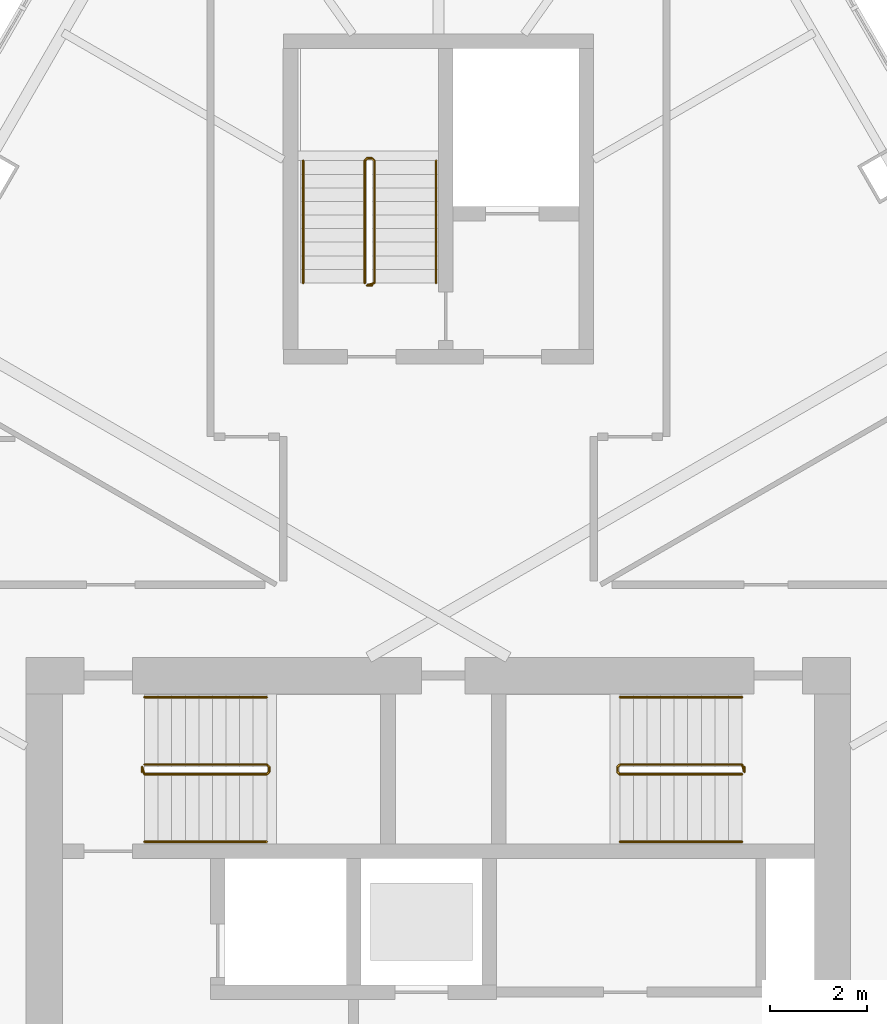
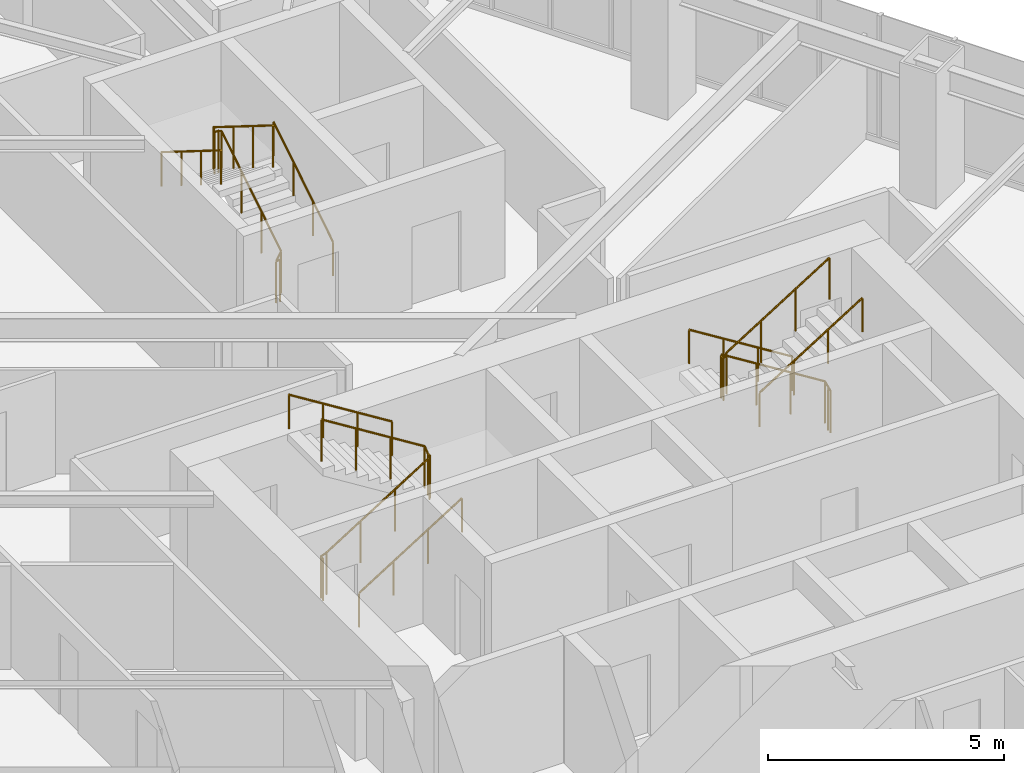
# One storey, part 20 of 21: 9 railings.
"""IFC4 building model written with IfcOpenShell, lengths in metres."""

from ifc_helpers import new_model, si_unit, direction, frame, origin, origin_2d, place, context, subcontext, project, spatial, circle, extrude, material, type_object, element, save


model = new_model("IFC4")

# Units and contexts
model_context = context("Model", 3, precision=1e-05, world=origin(), true_north=direction((0.0, 1.0)))
body_context = subcontext(model_context, "Body", "Model", "MODEL_VIEW")
ifc_project = project(units=[si_unit("LENGTHUNIT", "METRE"), si_unit("AREAUNIT", "SQUARE_METRE"), si_unit("VOLUMEUNIT", "CUBIC_METRE"), si_unit("PLANEANGLEUNIT", "RADIAN"), si_unit("MASSUNIT", "GRAM", prefix="KILO")], contexts=[model_context])

# Site, building, storey
site_placement = place(None, origin())
site = spatial("IfcSite", under=ifc_project, at=site_placement, CompositionType="ELEMENT")
building_placement = place(site_placement, origin())
building = spatial("IfcBuilding", under=site, at=building_placement, Name="Firuza Gate Tower and Library", CompositionType="ELEMENT")
storey_placement = place(building_placement, frame((0.0, 0.0, 274.10009765625)))
storey = spatial("IfcBuildingStorey", under=building, at=storey_placement, Name="L65", CompositionType="ELEMENT", Elevation=274.10009765625)

# Railings
ifc_material_1 = material(Name="Steel S355", Category="steel")
railing_type_1 = type_object("IfcRailingType", Name="Stair guard 1100", PredefinedType="GUARDRAIL", material=ifc_material_1)
railing_1_placement = place(storey_placement, frame((68.889892578125, 79.389892578125, 0.0)))
element("IfcRailing", 1, at=railing_1_placement, inside=storey, type_object=railing_type_1, Name="L65 ST1 stair guard 1", PredefinedType="GUARDRAIL", context=body_context, shape_type="SweptSolid", body=[
    extrude(circle(Radius=0.02392578125, at=origin_2d()), frame((0.0, 0.0, 1.076171875), z_axis=(0.0, 1.0, 0.0), x_axis=(-1.0, 0.0, 0.0)), (0.0, 0.0, 1.0), 0.10009765625),
    extrude(circle(Radius=0.02392578125, at=origin_2d()), frame((0.0, 0.10009765625, 1.076171875), z_axis=(0.212383695785, -0.636115069328, 0.741788908207), x_axis=(0.948528701346, 0.316691178788, 0.0)), (0.0, 0.0, 1.0), 0.235595703125),
    extrude(circle(Radius=0.02392578125, at=origin_2d()), frame((0.050048828125, -0.0498046875, 1.2509765625), z_axis=(0.847970611238, 0.0, 0.530043245855), x_axis=(0.0, 1.0, 0.0)), (0.0, 0.0, 1.0), 2.971923828125),
    extrude(circle(Radius=0.02392578125, at=origin_2d()), frame((2.570068359375, -0.0498046875, 2.826171875), z_axis=(0.708833529934, 0.705375805398, 0.0), x_axis=(-0.705375805398, 0.708833529934, 0.0)), (0.0, 0.0, 1.0), 0.070556640625),
    extrude(circle(Radius=0.02392578125, at=origin_2d()), frame((2.6201171875, 0.0, 2.826171875), z_axis=(0.0, 1.0, 0.0), x_axis=(-1.0, 0.0, 0.0)), (0.0, 0.0, 1.0), 0.10009765625),
    extrude(circle(Radius=0.02392578125, at=origin_2d()), frame((2.6201171875, 0.10009765625, 2.826171875), z_axis=(-0.265383341853, 0.265383341853, 0.926899867156), x_axis=(-0.707106781187, -0.707106781187, 0.0)), (0.0, 0.0, 1.0), 0.1884765625),
    extrude(circle(Radius=0.02392578125, at=origin_2d()), frame((2.570068359375, 0.150146484375, 3.0009765625), z_axis=(-0.847970611238, 0.0, 0.530043245855), x_axis=(0.0, -1.0, 0.0)), (0.0, 0.0, 1.0), 2.971923828125),
    extrude(circle(Radius=0.02099609375, at=origin_2d()), origin(), (0.0, 0.0, 1.0), 1.052001953125),
    extrude(circle(Radius=0.02099609375, at=origin_2d()), frame((0.0, 0.10009765625, 0.0)), (0.0, 0.0, 1.0), 1.052001953125),
    extrude(circle(Radius=0.02099609375, at=origin_2d()), frame((0.050048828125, -0.0498046875, 0.1748046875)), (0.0, 0.0, 1.0), 1.052001953125),
    extrude(circle(Radius=0.02099609375, at=origin_2d()), frame((0.89013671875, -0.0498046875, 0.699951171875)), (0.0, 0.0, 1.0), 1.052001953125),
    extrude(circle(Radius=0.02099609375, at=origin_2d()), frame((1.72998046875, -0.0498046875, 1.224853515625)), (0.0, 0.0, 1.0), 1.052001953125),
    extrude(circle(Radius=0.02099609375, at=origin_2d()), frame((2.570068359375, -0.0498046875, 1.75)), (0.0, 0.0, 1.0), 1.052001953125),
    extrude(circle(Radius=0.02099609375, at=origin_2d()), frame((2.6201171875, 0.0, 1.75)), (0.0, 0.0, 1.0), 1.052001953125),
    extrude(circle(Radius=0.02099609375, at=origin_2d()), frame((2.6201171875, 0.10009765625, 1.75)), (0.0, 0.0, 1.0), 1.052001953125),
    extrude(circle(Radius=0.02099609375, at=origin_2d()), frame((2.570068359375, 0.150146484375, 1.9248046875)), (0.0, 0.0, 1.0), 1.052001953125),
    extrude(circle(Radius=0.02099609375, at=origin_2d()), frame((1.72998046875, 0.150146484375, 2.449951171875)), (0.0, 0.0, 1.0), 1.052001953125),
    extrude(circle(Radius=0.02099609375, at=origin_2d()), frame((0.89013671875, 0.150146484375, 2.974853515625)), (0.0, 0.0, 1.0), 1.052001953125),
    extrude(circle(Radius=0.02099609375, at=origin_2d()), frame((0.050048828125, 0.150146484375, 3.5)), (0.0, 0.0, 1.0), 1.052001953125),
])
railing_2_placement = place(storey_placement, frame((81.31005859375, 79.489990234375, 0.0)))
element("IfcRailing", 2, at=railing_2_placement, inside=storey, type_object=railing_type_1, Name="L65 ST2 stair guard 1", PredefinedType="GUARDRAIL", context=body_context, shape_type="SweptSolid", body=[
    extrude(circle(Radius=0.02392578125, at=origin_2d()), frame((0.0, 0.0, 1.076171875), z_axis=(0.0, -1.0, 0.0), x_axis=(1.0, 0.0, 0.0)), (0.0, 0.0, 1.0), 0.10009765625),
    extrude(circle(Radius=0.02392578125, at=origin_2d()), frame((0.0, -0.10009765625, 1.076171875), z_axis=(-0.21224375372, 0.63673126116, 0.741300134944), x_axis=(-0.948683298051, -0.316227766017, 0.0)), (0.0, 0.0, 1.0), 0.23583984375),
    extrude(circle(Radius=0.02392578125, at=origin_2d()), frame((-0.050048828125, 0.050048828125, 1.2509765625), z_axis=(-0.847970611238, 0.0, 0.530043245855), x_axis=(0.0, -1.0, 0.0)), (0.0, 0.0, 1.0), 2.971923828125),
    extrude(circle(Radius=0.02392578125, at=origin_2d()), frame((-2.570068359375, 0.050048828125, 2.826171875), z_axis=(-0.707106781187, -0.707106781187, 0.0), x_axis=(0.707106781187, -0.707106781187, 0.0)), (0.0, 0.0, 1.0), 0.07080078125),
    extrude(circle(Radius=0.02392578125, at=origin_2d()), frame((-2.6201171875, 0.0, 2.826171875), z_axis=(0.0, -1.0, 0.0), x_axis=(1.0, 0.0, 0.0)), (0.0, 0.0, 1.0), 0.10009765625),
    extrude(circle(Radius=0.02392578125, at=origin_2d()), frame((-2.6201171875, -0.10009765625, 2.826171875), z_axis=(0.265474339444, -0.264179342666, 0.927217692888), x_axis=(0.705375805398, 0.708833529934, 0.0)), (0.0, 0.0, 1.0), 0.1884765625),
    extrude(circle(Radius=0.02392578125, at=origin_2d()), frame((-2.570068359375, -0.14990234375, 3.0009765625), z_axis=(0.847970611238, 0.0, 0.530043245855), x_axis=(0.0, 1.0, 0.0)), (0.0, 0.0, 1.0), 2.971923828125),
    extrude(circle(Radius=0.02099609375, at=origin_2d()), origin(), (0.0, 0.0, 1.0), 1.052001953125),
    extrude(circle(Radius=0.02099609375, at=origin_2d()), frame((0.0, -0.10009765625, 0.0)), (0.0, 0.0, 1.0), 1.052001953125),
    extrude(circle(Radius=0.02099609375, at=origin_2d()), frame((-0.050048828125, 0.050048828125, 0.1748046875)), (0.0, 0.0, 1.0), 1.052001953125),
    extrude(circle(Radius=0.02099609375, at=origin_2d()), frame((-0.89013671875, 0.050048828125, 0.699951171875)), (0.0, 0.0, 1.0), 1.052001953125),
    extrude(circle(Radius=0.02099609375, at=origin_2d()), frame((-1.72998046875, 0.050048828125, 1.224853515625)), (0.0, 0.0, 1.0), 1.052001953125),
    extrude(circle(Radius=0.02099609375, at=origin_2d()), frame((-2.570068359375, 0.050048828125, 1.75)), (0.0, 0.0, 1.0), 1.052001953125),
    extrude(circle(Radius=0.02099609375, at=origin_2d()), frame((-2.6201171875, 0.0, 1.75)), (0.0, 0.0, 1.0), 1.052001953125),
    extrude(circle(Radius=0.02099609375, at=origin_2d()), frame((-2.6201171875, -0.10009765625, 1.75)), (0.0, 0.0, 1.0), 1.052001953125),
    extrude(circle(Radius=0.02099609375, at=origin_2d()), frame((-2.570068359375, -0.14990234375, 1.9248046875)), (0.0, 0.0, 1.0), 1.052001953125),
    extrude(circle(Radius=0.02099609375, at=origin_2d()), frame((-1.72998046875, -0.14990234375, 2.449951171875)), (0.0, 0.0, 1.0), 1.052001953125),
    extrude(circle(Radius=0.02099609375, at=origin_2d()), frame((-0.89013671875, -0.14990234375, 2.974853515625)), (0.0, 0.0, 1.0), 1.052001953125),
    extrude(circle(Radius=0.02099609375, at=origin_2d()), frame((-0.050048828125, -0.14990234375, 3.5)), (0.0, 0.0, 1.0), 1.052001953125),
])
railing_3_placement = place(storey_placement, frame((73.6298828125, 89.419921875, 0.0)))
element("IfcRailing", 3, at=railing_3_placement, inside=storey, type_object=railing_type_1, Name="L65 ST3 stair guard 1", PredefinedType="GUARDRAIL", context=body_context, shape_type="SweptSolid", body=[
    extrude(circle(Radius=0.02392578125, at=origin_2d()), frame((0.0, 0.0, 1.076171875), z_axis=(-1.0, 0.0, 0.0), x_axis=(0.0, -1.0, 0.0)), (0.0, 0.0, 1.0), 0.099853515625),
    extrude(circle(Radius=0.02392578125, at=origin_2d()), frame((-0.099853515625, 0.0, 1.076171875), z_axis=(0.636115069328, 0.212383695785, 0.741788908207), x_axis=(-0.316691178788, 0.948528701346, 0.0)), (0.0, 0.0, 1.0), 0.235595703125),
    extrude(circle(Radius=0.02392578125, at=origin_2d()), frame((0.050048828125, 0.050048828125, 1.2509765625), z_axis=(0.0, 0.847970611238, 0.530043245855), x_axis=(-1.0, 0.0, 0.0)), (0.0, 0.0, 1.0), 2.971923828125),
    extrude(circle(Radius=0.02392578125, at=origin_2d()), frame((0.050048828125, 2.570068359375, 2.826171875), z_axis=(-0.707106781187, 0.707106781187, 0.0), x_axis=(-0.707106781187, -0.707106781187, 0.0)), (0.0, 0.0, 1.0), 0.07080078125),
    extrude(circle(Radius=0.02392578125, at=origin_2d()), frame((0.0, 2.6201171875, 2.826171875), z_axis=(-1.0, 0.0, 0.0), x_axis=(0.0, -1.0, 0.0)), (0.0, 0.0, 1.0), 0.099853515625),
    extrude(circle(Radius=0.02392578125, at=origin_2d()), frame((-0.099853515625, 2.6201171875, 2.826171875), z_axis=(-0.265383341853, -0.265383341853, 0.926899867156), x_axis=(0.707106781187, -0.707106781187, 0.0)), (0.0, 0.0, 1.0), 0.1884765625),
    extrude(circle(Radius=0.02392578125, at=origin_2d()), frame((-0.14990234375, 2.570068359375, 3.0009765625), z_axis=(0.0, -0.847970611238, 0.530043245855), x_axis=(1.0, 0.0, 0.0)), (0.0, 0.0, 1.0), 2.971923828125),
    extrude(circle(Radius=0.02099609375, at=origin_2d()), origin(), (0.0, 0.0, 1.0), 1.052001953125),
    extrude(circle(Radius=0.02099609375, at=origin_2d()), frame((-0.099853515625, 0.0, 0.0)), (0.0, 0.0, 1.0), 1.052001953125),
    extrude(circle(Radius=0.02099609375, at=origin_2d()), frame((0.050048828125, 0.050048828125, 0.1748046875)), (0.0, 0.0, 1.0), 1.052001953125),
    extrude(circle(Radius=0.02099609375, at=origin_2d()), frame((0.050048828125, 0.89013671875, 0.699951171875)), (0.0, 0.0, 1.0), 1.052001953125),
    extrude(circle(Radius=0.02099609375, at=origin_2d()), frame((0.050048828125, 1.72998046875, 1.224853515625)), (0.0, 0.0, 1.0), 1.052001953125),
    extrude(circle(Radius=0.02099609375, at=origin_2d()), frame((0.050048828125, 2.570068359375, 1.75)), (0.0, 0.0, 1.0), 1.052001953125),
    extrude(circle(Radius=0.02099609375, at=origin_2d()), frame((0.0, 2.6201171875, 1.75)), (0.0, 0.0, 1.0), 1.052001953125),
    extrude(circle(Radius=0.02099609375, at=origin_2d()), frame((-0.099853515625, 2.6201171875, 1.75)), (0.0, 0.0, 1.0), 1.052001953125),
    extrude(circle(Radius=0.02099609375, at=origin_2d()), frame((-0.14990234375, 2.570068359375, 1.9248046875)), (0.0, 0.0, 1.0), 1.052001953125),
    extrude(circle(Radius=0.02099609375, at=origin_2d()), frame((-0.14990234375, 1.72998046875, 2.449951171875)), (0.0, 0.0, 1.0), 1.052001953125),
    extrude(circle(Radius=0.02099609375, at=origin_2d()), frame((-0.14990234375, 0.89013671875, 2.974853515625)), (0.0, 0.0, 1.0), 1.052001953125),
    extrude(circle(Radius=0.02099609375, at=origin_2d()), frame((-0.14990234375, 0.050048828125, 3.5)), (0.0, 0.0, 1.0), 1.052001953125),
])
ifc_material_2 = material(Name="Steel S355", Category="steel")
railing_type_2 = type_object("IfcRailingType", Name="Stair handrail 900", PredefinedType="HANDRAIL", material=ifc_material_2)
railing_4_placement = place(storey_placement, frame((68.93994140625, 77.949951171875, 0.1748046875)))
element("IfcRailing", 4, at=railing_4_placement, inside=storey, type_object=railing_type_2, Name="L65 ST1 stair handrail 1", PredefinedType="HANDRAIL", context=body_context, shape_type="SweptSolid", body=[
    extrude(circle(Radius=0.02392578125, at=origin_2d()), frame((0.0, 0.0, 0.8759765625), z_axis=(0.847970611238, 0.0, 0.530043245855), x_axis=(0.0, 1.0, 0.0)), (0.0, 0.0, 1.0), 2.971923828125),
    extrude(circle(Radius=0.02099609375, at=origin_2d()), origin(), (0.0, 0.0, 1.0), 0.851806640625),
    extrude(circle(Radius=0.02099609375, at=origin_2d()), frame((0.840087890625, 0.0, 0.525146484375)), (0.0, 0.0, 1.0), 0.851806640625),
    extrude(circle(Radius=0.02099609375, at=origin_2d()), frame((1.679931640625, 0.0, 1.050048828125)), (0.0, 0.0, 1.0), 0.851806640625),
    extrude(circle(Radius=0.02099609375, at=origin_2d()), frame((2.52001953125, 0.0, 1.5751953125)), (0.0, 0.0, 1.0), 0.851806640625),
])
for number, where, name in (
    (5, (71.4599609375, 80.929931640625, 1.9248046875), "L65 ST1 stair handrail 2"),
    (6, (81.260009765625, 80.929931640625, 0.1748046875), "L65 ST2 stair handrail 1"),
):
    element("IfcRailing", number, at=place(storey_placement, frame(where)), inside=storey, type_object=railing_type_2, Name=name, PredefinedType="HANDRAIL", context=body_context, shape_type="SweptSolid", body=[
        extrude(circle(Radius=0.02392578125, at=origin_2d()), frame((0.0, 0.0, 0.8759765625), z_axis=(-0.847970611238, 0.0, 0.530043245855), x_axis=(0.0, -1.0, 0.0)), (0.0, 0.0, 1.0), 2.971923828125),
        extrude(circle(Radius=0.02099609375, at=origin_2d()), origin(), (0.0, 0.0, 1.0), 0.851806640625),
        extrude(circle(Radius=0.02099609375, at=origin_2d()), frame((-0.840087890625, 0.0, 0.525146484375)), (0.0, 0.0, 1.0), 0.851806640625),
        extrude(circle(Radius=0.02099609375, at=origin_2d()), frame((-1.679931640625, 0.0, 1.050048828125)), (0.0, 0.0, 1.0), 0.851806640625),
        extrude(circle(Radius=0.02099609375, at=origin_2d()), frame((-2.52001953125, 0.0, 1.5751953125)), (0.0, 0.0, 1.0), 0.851806640625),
    ])
railing_5_placement = place(storey_placement, frame((78.739990234375, 77.949951171875, 1.9248046875)))
element("IfcRailing", 7, at=railing_5_placement, inside=storey, type_object=railing_type_2, Name="L65 ST2 stair handrail 2", PredefinedType="HANDRAIL", context=body_context, shape_type="SweptSolid", body=[
    extrude(circle(Radius=0.02392578125, at=origin_2d()), frame((0.0, 0.0, 0.8759765625), z_axis=(0.847970611238, 0.0, 0.530043245855), x_axis=(0.0, 1.0, 0.0)), (0.0, 0.0, 1.0), 2.971923828125),
    extrude(circle(Radius=0.02099609375, at=origin_2d()), origin(), (0.0, 0.0, 1.0), 0.851806640625),
    extrude(circle(Radius=0.02099609375, at=origin_2d()), frame((0.840087890625, 0.0, 0.525146484375)), (0.0, 0.0, 1.0), 0.851806640625),
    extrude(circle(Radius=0.02099609375, at=origin_2d()), frame((1.679931640625, 0.0, 1.050048828125)), (0.0, 0.0, 1.0), 0.851806640625),
    extrude(circle(Radius=0.02099609375, at=origin_2d()), frame((2.52001953125, 0.0, 1.5751953125)), (0.0, 0.0, 1.0), 0.851806640625),
])
railing_6_placement = place(storey_placement, frame((74.949951171875, 89.469970703125, 0.1748046875)))
element("IfcRailing", 8, at=railing_6_placement, inside=storey, type_object=railing_type_2, Name="L65 ST3 stair handrail 1", PredefinedType="HANDRAIL", context=body_context, shape_type="SweptSolid", body=[
    extrude(circle(Radius=0.02392578125, at=origin_2d()), frame((0.0, 0.0, 0.8759765625), z_axis=(0.0, 0.847970611238, 0.530043245855), x_axis=(-1.0, 0.0, 0.0)), (0.0, 0.0, 1.0), 2.971923828125),
    extrude(circle(Radius=0.02099609375, at=origin_2d()), origin(), (0.0, 0.0, 1.0), 0.851806640625),
    extrude(circle(Radius=0.02099609375, at=origin_2d()), frame((0.0, 0.840087890625, 0.525146484375)), (0.0, 0.0, 1.0), 0.851806640625),
    extrude(circle(Radius=0.02099609375, at=origin_2d()), frame((0.0, 1.679931640625, 1.050048828125)), (0.0, 0.0, 1.0), 0.851806640625),
    extrude(circle(Radius=0.02099609375, at=origin_2d()), frame((0.0, 2.52001953125, 1.5751953125)), (0.0, 0.0, 1.0), 0.851806640625),
])
railing_7_placement = place(storey_placement, frame((72.2099609375, 91.989990234375, 1.9248046875)))
element("IfcRailing", 9, at=railing_7_placement, inside=storey, type_object=railing_type_2, Name="L65 ST3 stair handrail 2", PredefinedType="HANDRAIL", context=body_context, shape_type="SweptSolid", body=[
    extrude(circle(Radius=0.02392578125, at=origin_2d()), frame((0.0, 0.0, 0.8759765625), z_axis=(0.0, -0.847970611238, 0.530043245855), x_axis=(1.0, 0.0, 0.0)), (0.0, 0.0, 1.0), 2.971923828125),
    extrude(circle(Radius=0.02099609375, at=origin_2d()), origin(), (0.0, 0.0, 1.0), 0.851806640625),
    extrude(circle(Radius=0.02099609375, at=origin_2d()), frame((0.0, -0.840087890625, 0.525146484375)), (0.0, 0.0, 1.0), 0.851806640625),
    extrude(circle(Radius=0.02099609375, at=origin_2d()), frame((0.0, -1.679931640625, 1.050048828125)), (0.0, 0.0, 1.0), 0.851806640625),
    extrude(circle(Radius=0.02099609375, at=origin_2d()), frame((0.0, -2.52001953125, 1.5751953125)), (0.0, 0.0, 1.0), 0.851806640625),
])

save(model, "model.ifc")
